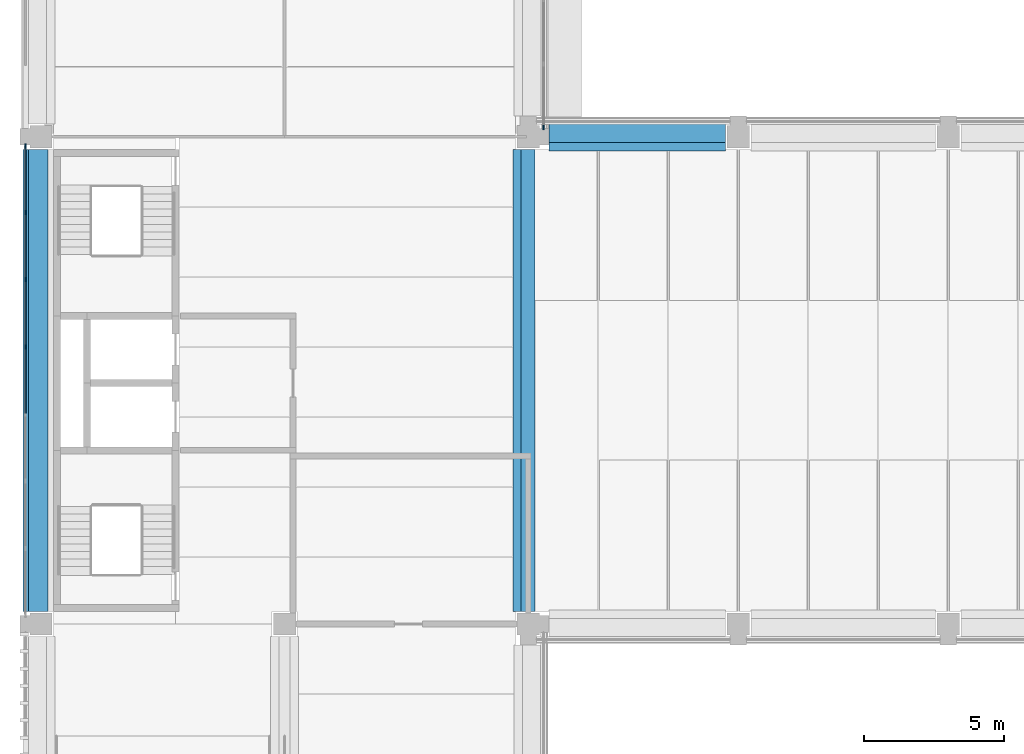
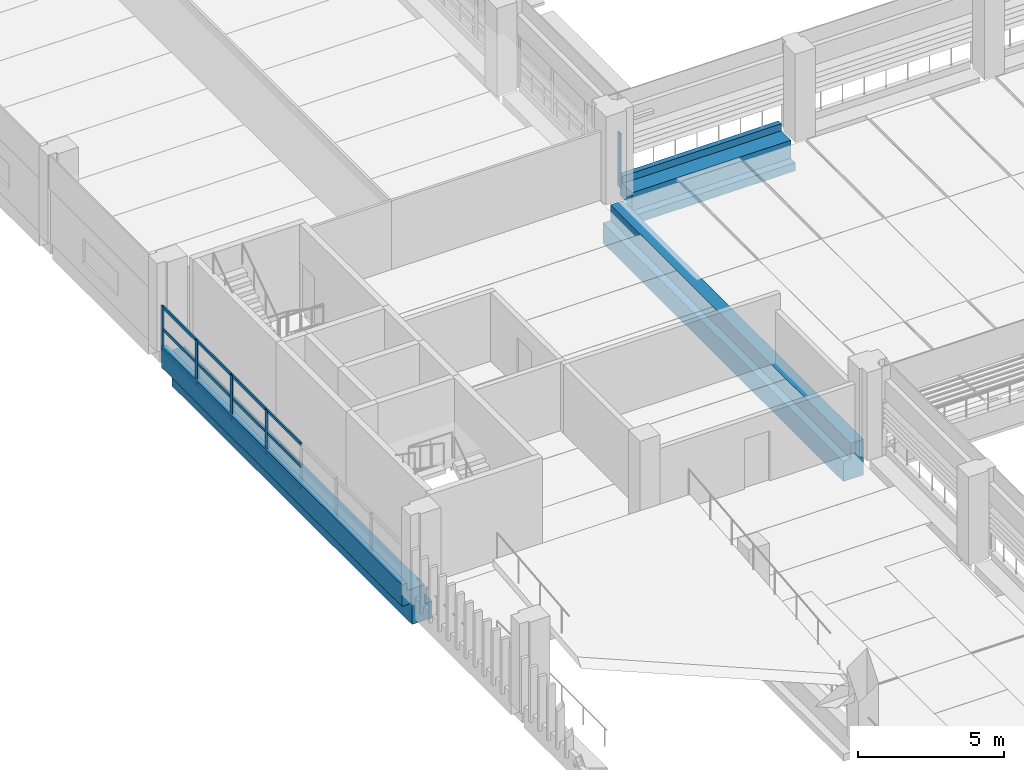
# One storey, part 5 of 61: 17 members, 3 beams, 2 elements without a shape of their own.
"""IFC4 building model written with IfcOpenShell, lengths in metres."""

from ifc_helpers import new_model, si_unit, direction, frame, origin, origin_2d, place, context, subcontext, project, spatial, polyline, rectangle, outline, extrude, material, layer, layer_set, material_profile, profile_set, type_object, element, aggregate, save


model = new_model("IFC4")

# Units and contexts
model_context = context("Model", 3, precision=1e-05, world=origin(), true_north=direction((0.0, 1.0)))
body_context = subcontext(model_context, "Body", "Model", "MODEL_VIEW")
ifc_project = project(units=[si_unit("LENGTHUNIT", "METRE"), si_unit("AREAUNIT", "SQUARE_METRE"), si_unit("VOLUMEUNIT", "CUBIC_METRE"), si_unit("PLANEANGLEUNIT", "RADIAN"), si_unit("MASSUNIT", "GRAM", prefix="KILO")], contexts=[model_context])

# Site, building, storey
site_placement = place(None, origin())
site = spatial("IfcSite", under=ifc_project, at=site_placement, CompositionType="ELEMENT")
building_placement = place(site_placement, origin())
building = spatial("IfcBuilding", under=site, at=building_placement, Name="Cour d'Honneur Mobility Palace", CompositionType="ELEMENT")
storey_placement = place(building_placement, frame((0.0, 0.0, 11.89990234375)))
storey = spatial("IfcBuildingStorey", under=building, at=storey_placement, Name="L03", CompositionType="ELEMENT", Elevation=11.89990234375)

# Curtain wall, member
ifc_material_1 = material(Name="Aluminium and glass", Category="aluminium")
ifc_layer = layer(ifc_material_1, 0.10009765625)
ifc_layer_set = layer_set([ifc_layer], Name="Aluminium and glass")
curtain_wall_type = type_object("IfcCurtainWallType", Name="Curtain wall run", PredefinedType="NOTDEFINED", material=ifc_layer_set)
curtain_wall_1_placement = place(storey_placement, origin())
curtain_wall_1 = element("IfcCurtainWall", 1, at=curtain_wall_1_placement, inside=storey, type_object=curtain_wall_type, Name="Curtain wall CW-30", PredefinedType="NOTDEFINED")
ifc_material_2 = material(Name="Aluminium", Category="aluminium")
ifc_material_profile_1 = material_profile(ifc_material_2, rectangle(XDim=0.06005859375, YDim=0.159912109375, at=origin_2d()), Name="Curtain wall mullion")
ifc_profile_set_1 = profile_set([ifc_material_profile_1], Name="Aluminium")
member_type_1 = type_object("IfcMemberType", Name="Curtain wall mullion", PredefinedType="MULLION", material=ifc_profile_set_1)
member_1_placement = place(storey_placement, frame((17.949951171875, 62.72998046875, 0.0), z_axis=(0.0, 0.0, 1.0), x_axis=(-1.0, 0.0, 0.0)))
member_1 = element("IfcMember", 2, at=member_1_placement, type_object=member_type_1, Name="CW-30 mullion 1", PredefinedType="MULLION", context=body_context, shape_type="SweptSolid", body=[
    extrude(rectangle(XDim=0.06005859375, YDim=0.159912109375, at=origin_2d()), origin(), (0.0, 0.0, 1.0), 2.300048828125),
])
aggregate(curtain_wall_1, [member_1])

# Curtain wall, members
curtain_wall_2_placement = place(storey_placement, origin())
curtain_wall_2 = element("IfcCurtainWall", 3, at=curtain_wall_2_placement, inside=storey, type_object=curtain_wall_type, Name="Curtain wall CW-102", PredefinedType="NOTDEFINED")
member_2_placement = place(storey_placement, frame((-0.550048828125, 62.070068359375, 0.0), z_axis=(0.0, 0.0, 1.0), x_axis=(1.0, 0.0, 0.0)))
member_2 = element("IfcMember", 4, at=member_2_placement, type_object=member_type_1, Name="CW-102 mullion 1", PredefinedType="MULLION", context=body_context, shape_type="SweptSolid", body=[
    extrude(rectangle(XDim=0.06005859375, YDim=0.159912109375, at=origin_2d()), origin(), (0.0, 0.0, 1.0), 1.900146484375),
])
member_3_placement = place(storey_placement, frame((-0.550048828125, 59.699951171875, 0.0), z_axis=(0.0, 0.0, 1.0), x_axis=(1.0, 0.0, 0.0)))
member_3 = element("IfcMember", 5, at=member_3_placement, type_object=member_type_1, Name="CW-102 mullion 2", PredefinedType="MULLION", context=body_context, shape_type="SweptSolid", body=[
    extrude(rectangle(XDim=0.06005859375, YDim=0.159912109375, at=origin_2d()), origin(), (0.0, 0.0, 1.0), 1.900146484375),
])
member_4_placement = place(storey_placement, frame((-0.550048828125, 57.300048828125, 0.0), z_axis=(0.0, 0.0, 1.0), x_axis=(1.0, 0.0, 0.0)))
member_4 = element("IfcMember", 6, at=member_4_placement, type_object=member_type_1, Name="CW-102 mullion 3", PredefinedType="MULLION", context=body_context, shape_type="SweptSolid", body=[
    extrude(rectangle(XDim=0.06005859375, YDim=0.159912109375, at=origin_2d()), origin(), (0.0, 0.0, 1.0), 1.900146484375),
])
member_5_placement = place(storey_placement, frame((-0.550048828125, 54.89990234375, 0.0), z_axis=(0.0, 0.0, 1.0), x_axis=(1.0, 0.0, 0.0)))
member_5 = element("IfcMember", 7, at=member_5_placement, type_object=member_type_1, Name="CW-102 mullion 4", PredefinedType="MULLION", context=body_context, shape_type="SweptSolid", body=[
    extrude(rectangle(XDim=0.06005859375, YDim=0.159912109375, at=origin_2d()), origin(), (0.0, 0.0, 1.0), 1.900146484375),
])
ifc_material_3 = material(Name="Aluminium", Category="aluminium")
ifc_material_profile_2 = material_profile(ifc_material_3, rectangle(XDim=0.06005859375, YDim=0.1201171875, at=origin_2d()), Name="Curtain wall transom")
ifc_profile_set_2 = profile_set([ifc_material_profile_2], Name="Aluminium")
member_type_2 = type_object("IfcMemberType", Name="Curtain wall transom", PredefinedType="USERDEFINED", material=ifc_profile_set_2)
member_6_placement = place(storey_placement, frame((-0.550048828125, 62.0400390625, 0.030029296875), z_axis=(0.0, -1.0, 0.0), x_axis=(1.0, 0.0, 0.0)))
member_6 = element("IfcMember", 8, at=member_6_placement, type_object=member_type_2, Name="CW-102 transom 1.1", ObjectType="TRANSOM", PredefinedType="USERDEFINED", context=body_context, shape_type="SweptSolid", body=[
    extrude(rectangle(XDim=0.06005859375, YDim=0.1201171875, at=origin_2d()), origin(), (0.0, 0.0, 1.0), 2.31005859375),
])
member_7_placement = place(storey_placement, frame((-0.550048828125, 62.0400390625, 0.9501953125), z_axis=(0.0, -1.0, 0.0), x_axis=(1.0, 0.0, 0.0)))
member_7 = element("IfcMember", 9, at=member_7_placement, type_object=member_type_2, Name="CW-102 transom 1.2", ObjectType="TRANSOM", PredefinedType="USERDEFINED", context=body_context, shape_type="SweptSolid", body=[
    extrude(rectangle(XDim=0.06005859375, YDim=0.1201171875, at=origin_2d()), origin(), (0.0, 0.0, 1.0), 2.31005859375),
])
member_8_placement = place(storey_placement, frame((-0.550048828125, 62.0400390625, 1.8701171875), z_axis=(0.0, -1.0, 0.0), x_axis=(1.0, 0.0, 0.0)))
member_8 = element("IfcMember", 10, at=member_8_placement, type_object=member_type_2, Name="CW-102 transom 1.3", ObjectType="TRANSOM", PredefinedType="USERDEFINED", context=body_context, shape_type="SweptSolid", body=[
    extrude(rectangle(XDim=0.06005859375, YDim=0.1201171875, at=origin_2d()), origin(), (0.0, 0.0, 1.0), 2.31005859375),
])
member_9_placement = place(storey_placement, frame((-0.550048828125, 59.669921875, 0.030029296875), z_axis=(0.0, -1.0, 0.0), x_axis=(1.0, 0.0, 0.0)))
member_9 = element("IfcMember", 11, at=member_9_placement, type_object=member_type_2, Name="CW-102 transom 2.1", ObjectType="TRANSOM", PredefinedType="USERDEFINED", context=body_context, shape_type="SweptSolid", body=[
    extrude(rectangle(XDim=0.06005859375, YDim=0.1201171875, at=origin_2d()), origin(), (0.0, 0.0, 1.0), 2.33984375),
])
member_10_placement = place(storey_placement, frame((-0.550048828125, 59.669921875, 0.9501953125), z_axis=(0.0, -1.0, 0.0), x_axis=(1.0, 0.0, 0.0)))
member_10 = element("IfcMember", 12, at=member_10_placement, type_object=member_type_2, Name="CW-102 transom 2.2", ObjectType="TRANSOM", PredefinedType="USERDEFINED", context=body_context, shape_type="SweptSolid", body=[
    extrude(rectangle(XDim=0.06005859375, YDim=0.1201171875, at=origin_2d()), origin(), (0.0, 0.0, 1.0), 2.33984375),
])
member_11_placement = place(storey_placement, frame((-0.550048828125, 59.669921875, 1.8701171875), z_axis=(0.0, -1.0, 0.0), x_axis=(1.0, 0.0, 0.0)))
member_11 = element("IfcMember", 13, at=member_11_placement, type_object=member_type_2, Name="CW-102 transom 2.3", ObjectType="TRANSOM", PredefinedType="USERDEFINED", context=body_context, shape_type="SweptSolid", body=[
    extrude(rectangle(XDim=0.06005859375, YDim=0.1201171875, at=origin_2d()), origin(), (0.0, 0.0, 1.0), 2.33984375),
])
member_12_placement = place(storey_placement, frame((-0.550048828125, 57.27001953125, 0.030029296875), z_axis=(0.0, -1.0, 0.0), x_axis=(1.0, 0.0, 0.0)))
member_12 = element("IfcMember", 14, at=member_12_placement, type_object=member_type_2, Name="CW-102 transom 3.1", ObjectType="TRANSOM", PredefinedType="USERDEFINED", context=body_context, shape_type="SweptSolid", body=[
    extrude(rectangle(XDim=0.06005859375, YDim=0.1201171875, at=origin_2d()), origin(), (0.0, 0.0, 1.0), 2.340087890625),
])
member_13_placement = place(storey_placement, frame((-0.550048828125, 57.27001953125, 0.9501953125), z_axis=(0.0, -1.0, 0.0), x_axis=(1.0, 0.0, 0.0)))
member_13 = element("IfcMember", 15, at=member_13_placement, type_object=member_type_2, Name="CW-102 transom 3.2", ObjectType="TRANSOM", PredefinedType="USERDEFINED", context=body_context, shape_type="SweptSolid", body=[
    extrude(rectangle(XDim=0.06005859375, YDim=0.1201171875, at=origin_2d()), origin(), (0.0, 0.0, 1.0), 2.340087890625),
])
member_14_placement = place(storey_placement, frame((-0.550048828125, 57.27001953125, 1.8701171875), z_axis=(0.0, -1.0, 0.0), x_axis=(1.0, 0.0, 0.0)))
member_14 = element("IfcMember", 16, at=member_14_placement, type_object=member_type_2, Name="CW-102 transom 3.3", ObjectType="TRANSOM", PredefinedType="USERDEFINED", context=body_context, shape_type="SweptSolid", body=[
    extrude(rectangle(XDim=0.06005859375, YDim=0.1201171875, at=origin_2d()), origin(), (0.0, 0.0, 1.0), 2.340087890625),
])
member_15_placement = place(storey_placement, frame((-0.550048828125, 54.8701171875, 0.030029296875), z_axis=(0.0, -1.0, 0.0), x_axis=(1.0, 0.0, 0.0)))
member_15 = element("IfcMember", 17, at=member_15_placement, type_object=member_type_2, Name="CW-102 transom 4.1", ObjectType="TRANSOM", PredefinedType="USERDEFINED", context=body_context, shape_type="SweptSolid", body=[
    extrude(rectangle(XDim=0.06005859375, YDim=0.1201171875, at=origin_2d()), origin(), (0.0, 0.0, 1.0), 2.340087890625),
])
member_16_placement = place(storey_placement, frame((-0.550048828125, 54.8701171875, 0.9501953125), z_axis=(0.0, -1.0, 0.0), x_axis=(1.0, 0.0, 0.0)))
member_16 = element("IfcMember", 18, at=member_16_placement, type_object=member_type_2, Name="CW-102 transom 4.2", ObjectType="TRANSOM", PredefinedType="USERDEFINED", context=body_context, shape_type="SweptSolid", body=[
    extrude(rectangle(XDim=0.06005859375, YDim=0.1201171875, at=origin_2d()), origin(), (0.0, 0.0, 1.0), 2.340087890625),
])
member_17_placement = place(storey_placement, frame((-0.550048828125, 54.8701171875, 1.8701171875), z_axis=(0.0, -1.0, 0.0), x_axis=(1.0, 0.0, 0.0)))
member_17 = element("IfcMember", 19, at=member_17_placement, type_object=member_type_2, Name="CW-102 transom 4.3", ObjectType="TRANSOM", PredefinedType="USERDEFINED", context=body_context, shape_type="SweptSolid", body=[
    extrude(rectangle(XDim=0.06005859375, YDim=0.1201171875, at=origin_2d()), origin(), (0.0, 0.0, 1.0), 2.340087890625),
])
aggregate(curtain_wall_2, [member_2, member_3, member_4, member_5, member_6, member_7, member_8, member_9, member_10, member_11, member_12, member_13, member_14, member_15, member_16, member_17])

# Beams
ifc_material_4 = material(Name="Concrete C45", Category="concrete")
ifc_material_profile_3 = material_profile(ifc_material_4, outline(polyline([(0.199951171875, -1.10009765625), (0.199951171875, -0.60009765625), (0.64990234375, -0.60009765625), (0.64990234375, 0.300048828125), (0.449951171875, 0.300048828125), (0.449951171875, 0.0), (0.199951171875, 0.0), (-0.199951171875, 0.0), (-0.199951171875, -0.75), (-0.5, -0.75), (-0.5, -1.10009765625), (0.199951171875, -1.10009765625)])), Name="Ledger Beam 400x1100 ledge right 350 facade left")
ifc_profile_set_3 = profile_set([ifc_material_profile_3], Name="Concrete C45")
beam_type_1 = type_object("IfcBeamType", Name="Ledger Beam 400x1100 ledge right 350 facade left", PredefinedType="BEAM", material=ifc_profile_set_3)
beam_1_placement = place(storey_placement, frame((18.14990234375, 62.39990234375, 0.0), z_axis=(1.0, 0.0, 0.0), x_axis=(0.0, 1.0, 0.0)))
element("IfcBeam", 20, at=beam_1_placement, inside=storey, type_object=beam_type_1, Name="Precast beam B4 2-3 L03", PredefinedType="BEAM", context=body_context, shape_type="SweptSolid", body=[
    extrude(outline(polyline([(0.199951171875, -1.10009765625), (0.199951171875, -0.60009765625), (0.64990234375, -0.60009765625), (0.64990234375, 0.300048828125), (0.449951171875, 0.300048828125), (0.449951171875, 0.0), (0.199951171875, 0.0), (-0.199951171875, 0.0), (-0.199951171875, -0.75), (-0.5, -0.75), (-0.5, -1.10009765625), (0.199951171875, -1.10009765625)])), origin(), (0.0, 0.0, 1.0), 6.300048828125),
])
ifc_material_5 = material(Name="Concrete C45", Category="concrete")
ifc_material_profile_4 = material_profile(ifc_material_5, outline(polyline([(0.550048828125, -1.5), (0.550048828125, -0.64990234375), (0.25, -0.64990234375), (0.25, 0.0), (-0.25, 0.0), (-0.25, -1.5), (0.550048828125, -1.5)])), Name="Ledger Beam 500x1500 ledge left 850 plain")
ifc_profile_set_4 = profile_set([ifc_material_profile_4], Name="Concrete C45")
beam_type_2 = type_object("IfcBeamType", Name="Ledger Beam 500x1500 ledge left 850 plain", PredefinedType="BEAM", material=ifc_profile_set_4)
beam_2_placement = place(storey_placement, frame((17.39990234375, 45.449951171875, 0.0), z_axis=(0.0, 1.0, 0.0), x_axis=(-1.0, 0.0, 0.0)))
element("IfcBeam", 21, at=beam_2_placement, inside=storey, type_object=beam_type_2, Name="Precast beam B13 G-H L03", PredefinedType="BEAM", context=body_context, shape_type="SweptSolid", body=[
    extrude(outline(polyline([(0.550048828125, -1.5), (0.550048828125, -0.64990234375), (0.25, -0.64990234375), (0.25, 0.0), (-0.25, 0.0), (-0.25, -1.5), (0.550048828125, -1.5)])), origin(), (0.0, 0.0, 1.0), 16.5),
])
ifc_material_6 = material(Name="Concrete C45", Category="concrete")
ifc_material_profile_5 = material_profile(ifc_material_6, outline(polyline([(0.25, -1.5), (0.25, -0.60009765625), (0.64990234375, -0.60009765625), (0.64990234375, 0.300048828125), (0.449951171875, 0.300048828125), (0.449951171875, 0.0), (0.25, 0.0), (-0.25, 0.0), (-0.25, -0.800048828125), (-0.550048828125, -0.800048828125), (-0.550048828125, -1.5), (0.25, -1.5)])), Name="Ledger Beam 500x1500 ledge right 700 facade left")
ifc_profile_set_5 = profile_set([ifc_material_profile_5], Name="Concrete C45")
beam_type_3 = type_object("IfcBeamType", Name="Ledger Beam 500x1500 ledge right 700 facade left", PredefinedType="BEAM", material=ifc_profile_set_5)
beam_3_placement = place(storey_placement, frame((0.0, 45.449951171875, 0.0), z_axis=(0.0, 1.0, 0.0), x_axis=(-1.0, 0.0, 0.0)))
element("IfcBeam", 22, at=beam_3_placement, inside=storey, type_object=beam_type_3, Name="Precast beam B8 G-H L03", PredefinedType="BEAM", context=body_context, shape_type="SweptSolid", body=[
    extrude(outline(polyline([(0.25, -1.5), (0.25, -0.60009765625), (0.64990234375, -0.60009765625), (0.64990234375, 0.300048828125), (0.449951171875, 0.300048828125), (0.449951171875, 0.0), (0.25, 0.0), (-0.25, 0.0), (-0.25, -0.800048828125), (-0.550048828125, -0.800048828125), (-0.550048828125, -1.5), (0.25, -1.5)])), origin(), (0.0, 0.0, 1.0), 16.5),
])

save(model, "model.ifc")
